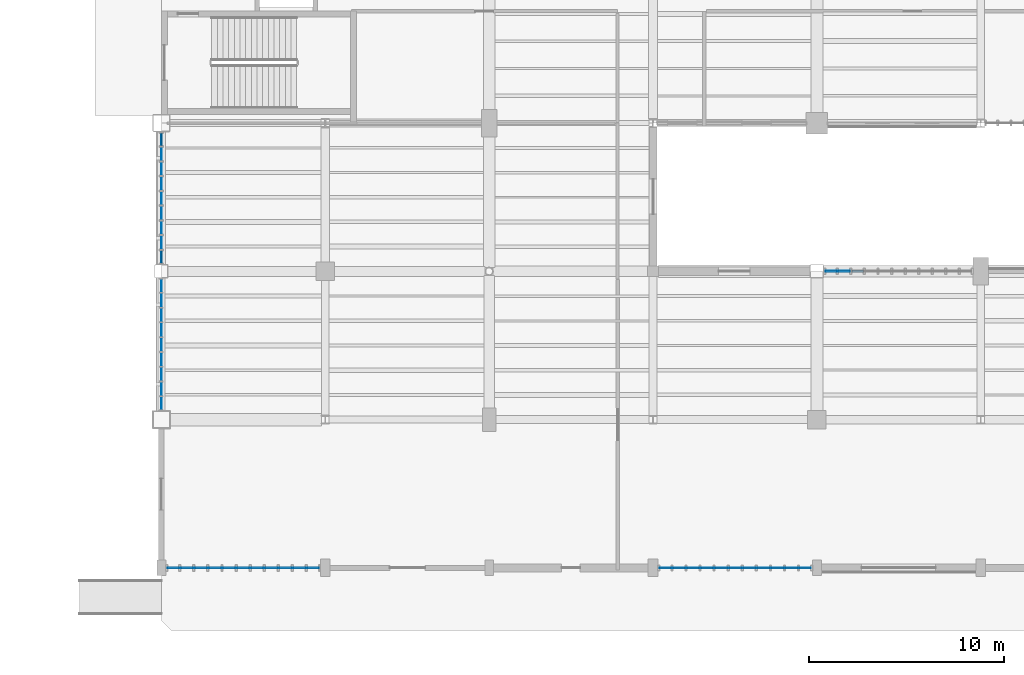
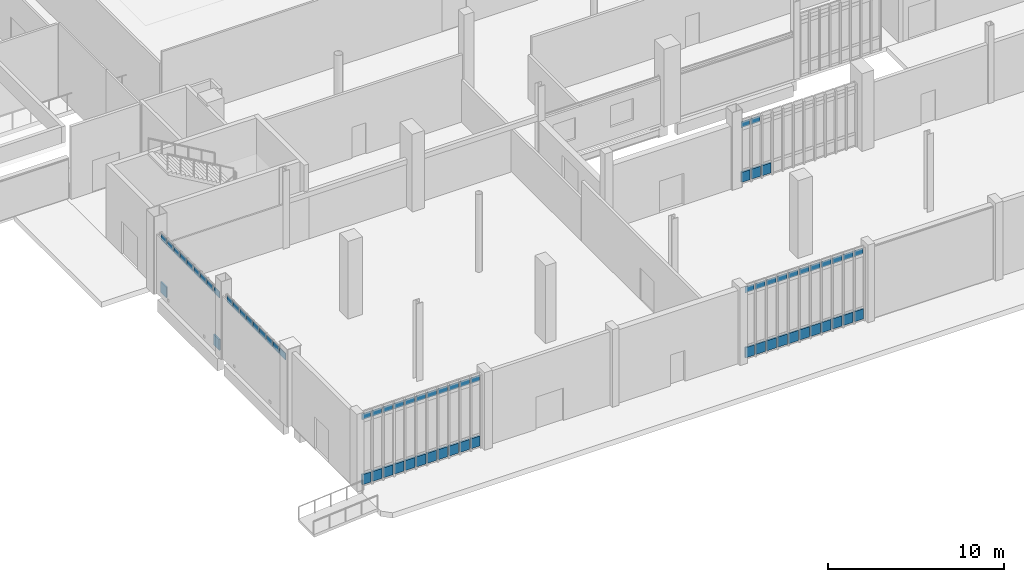
# One storey, part 71 of 111: 69 plates, 5 elements without a shape of their own.
"""IFC4 building model written with IfcOpenShell, lengths in metres."""

from ifc_helpers import new_model, si_unit, direction, frame, origin, origin_2d, place, context, subcontext, project, spatial, rectangle, extrude, material, layer, layer_set, type_object, element, aggregate, save


model = new_model("IFC4")

# Units and contexts
model_context = context("Model", 3, precision=1e-05, world=origin(), true_north=direction((0.0, 1.0)))
body_context = subcontext(model_context, "Body", "Model", "MODEL_VIEW")
ifc_project = project(units=[si_unit("LENGTHUNIT", "METRE"), si_unit("AREAUNIT", "SQUARE_METRE"), si_unit("VOLUMEUNIT", "CUBIC_METRE"), si_unit("PLANEANGLEUNIT", "RADIAN"), si_unit("MASSUNIT", "GRAM", prefix="KILO")], contexts=[model_context])

# Site, building, storey
site_placement = place(None, origin())
site = spatial("IfcSite", under=ifc_project, at=site_placement, CompositionType="ELEMENT")
building_placement = place(site_placement, origin())
building = spatial("IfcBuilding", under=site, at=building_placement, Name="Larkvane Passage Sports Hall", CompositionType="ELEMENT")
storey_placement = place(building_placement, origin())
storey = spatial("IfcBuildingStorey", under=building, at=storey_placement, Name="L00", CompositionType="ELEMENT", Elevation=0.0)

# Curtain wall, plates
ifc_material_1 = material(Name="Thermally broken aluminium and low-E glazing", Category="aluminium")
curtain_wall_type_1 = type_object("IfcCurtainWallType", Name="CW-STICK-FOYER", PredefinedType="USERDEFINED", material=ifc_material_1)
curtain_wall_1_placement = place(storey_placement, origin())
curtain_wall_1 = element("IfcCurtainWall", 1, at=curtain_wall_1_placement, inside=storey, type_object=curtain_wall_type_1, Name="Curtain wall CW5-L00-002", ObjectType="STICK CURTAIN WALL", PredefinedType="USERDEFINED")
ifc_material_2 = material(Name="Fire-stopped shadow-box spandrel panel")
ifc_layer_1 = layer(ifc_material_2, 0.10498046875)
ifc_layer_set_1 = layer_set([ifc_layer_1], Name="Fire-stopped shadow-box spandrel panel")
plate_type_1 = type_object("IfcPlateType", Name="CWP-SPD-105", PredefinedType="CURTAIN_PANEL", material=ifc_layer_set_1)
plate_1_placement = place(storey_placement, frame((67.7958984375, 0.0, 0.08984375), z_axis=(0.0, 0.0, 1.0), x_axis=(-1.0, 0.0, 0.0)))
plate_1 = element("IfcPlate", 2, at=plate_1_placement, type_object=plate_type_1, Name="CW-03 panel 1.1", PredefinedType="CURTAIN_PANEL", context=body_context, shape_type="SweptSolid", body=[
    extrude(rectangle(XDim=0.586181640625, YDim=0.10498046875, at=origin_2d()), origin(), (0.0, 0.0, 1.0), 0.715087890625),
])
plate_2_placement = place(storey_placement, frame((67.09716796875, 0.0, 0.08984375), z_axis=(0.0, 0.0, 1.0), x_axis=(-1.0, 0.0, 0.0)))
plate_2 = element("IfcPlate", 3, at=plate_2_placement, type_object=plate_type_1, Name="CW-03 panel 2.1", PredefinedType="CURTAIN_PANEL", context=body_context, shape_type="SweptSolid", body=[
    extrude(rectangle(XDim=0.631103515625, YDim=0.10498046875, at=origin_2d()), origin(), (0.0, 0.0, 1.0), 0.715087890625),
])
plate_3_placement = place(storey_placement, frame((66.3759765625, 0.0, 0.08984375), z_axis=(0.0, 0.0, 1.0), x_axis=(-1.0, 0.0, 0.0)))
plate_3 = element("IfcPlate", 4, at=plate_3_placement, type_object=plate_type_1, Name="CW-03 panel 3.1", PredefinedType="CURTAIN_PANEL", context=body_context, shape_type="SweptSolid", body=[
    extrude(rectangle(XDim=0.631103515625, YDim=0.10498046875, at=origin_2d()), origin(), (0.0, 0.0, 1.0), 0.715087890625),
])
plate_4_placement = place(storey_placement, frame((65.65478515625, 0.0, 0.08984375), z_axis=(0.0, 0.0, 1.0), x_axis=(-1.0, 0.0, 0.0)))
plate_4 = element("IfcPlate", 5, at=plate_4_placement, type_object=plate_type_1, Name="CW-03 panel 4.1", PredefinedType="CURTAIN_PANEL", context=body_context, shape_type="SweptSolid", body=[
    extrude(rectangle(XDim=0.631103515625, YDim=0.10498046875, at=origin_2d()), origin(), (0.0, 0.0, 1.0), 0.715087890625),
])
plate_5_placement = place(storey_placement, frame((64.93359375, 0.0, 0.08984375), z_axis=(0.0, 0.0, 1.0), x_axis=(-1.0, 0.0, 0.0)))
plate_5 = element("IfcPlate", 6, at=plate_5_placement, type_object=plate_type_1, Name="CW-03 panel 5.1", PredefinedType="CURTAIN_PANEL", context=body_context, shape_type="SweptSolid", body=[
    extrude(rectangle(XDim=0.631103515625, YDim=0.10498046875, at=origin_2d()), origin(), (0.0, 0.0, 1.0), 0.715087890625),
])
plate_6_placement = place(storey_placement, frame((64.21240234375, 0.0, 0.08984375), z_axis=(0.0, 0.0, 1.0), x_axis=(-1.0, 0.0, 0.0)))
plate_6 = element("IfcPlate", 7, at=plate_6_placement, type_object=plate_type_1, Name="CW-03 panel 6.1", PredefinedType="CURTAIN_PANEL", context=body_context, shape_type="SweptSolid", body=[
    extrude(rectangle(XDim=0.631103515625, YDim=0.10498046875, at=origin_2d()), origin(), (0.0, 0.0, 1.0), 0.715087890625),
])
plate_7_placement = place(storey_placement, frame((63.4912109375, 0.0, 0.08984375), z_axis=(0.0, 0.0, 1.0), x_axis=(-1.0, 0.0, 0.0)))
plate_7 = element("IfcPlate", 8, at=plate_7_placement, type_object=plate_type_1, Name="CW-03 panel 7.1", PredefinedType="CURTAIN_PANEL", context=body_context, shape_type="SweptSolid", body=[
    extrude(rectangle(XDim=0.631103515625, YDim=0.10498046875, at=origin_2d()), origin(), (0.0, 0.0, 1.0), 0.715087890625),
])
plate_8_placement = place(storey_placement, frame((62.77001953125, 0.0, 0.08984375), z_axis=(0.0, 0.0, 1.0), x_axis=(-1.0, 0.0, 0.0)))
plate_8 = element("IfcPlate", 9, at=plate_8_placement, type_object=plate_type_1, Name="CW-03 panel 8.1", PredefinedType="CURTAIN_PANEL", context=body_context, shape_type="SweptSolid", body=[
    extrude(rectangle(XDim=0.631103515625, YDim=0.10498046875, at=origin_2d()), origin(), (0.0, 0.0, 1.0), 0.715087890625),
])
plate_9_placement = place(storey_placement, frame((62.049072265625, 0.0, 0.08984375), z_axis=(0.0, 0.0, 1.0), x_axis=(-1.0, 0.0, 0.0)))
plate_9 = element("IfcPlate", 10, at=plate_9_placement, type_object=plate_type_1, Name="CW-03 panel 9.1", PredefinedType="CURTAIN_PANEL", context=body_context, shape_type="SweptSolid", body=[
    extrude(rectangle(XDim=0.631103515625, YDim=0.10498046875, at=origin_2d()), origin(), (0.0, 0.0, 1.0), 0.715087890625),
])
plate_10_placement = place(storey_placement, frame((61.327880859375, 0.0, 0.08984375), z_axis=(0.0, 0.0, 1.0), x_axis=(-1.0, 0.0, 0.0)))
plate_10 = element("IfcPlate", 11, at=plate_10_placement, type_object=plate_type_1, Name="CW-03 panel 10.1", PredefinedType="CURTAIN_PANEL", context=body_context, shape_type="SweptSolid", body=[
    extrude(rectangle(XDim=0.631103515625, YDim=0.10498046875, at=origin_2d()), origin(), (0.0, 0.0, 1.0), 0.715087890625),
])
plate_11_placement = place(storey_placement, frame((60.629150390625, 0.0, 0.08984375), z_axis=(0.0, 0.0, 1.0), x_axis=(-1.0, 0.0, 0.0)))
plate_11 = element("IfcPlate", 12, at=plate_11_placement, type_object=plate_type_1, Name="CW-03 panel 11.1", PredefinedType="CURTAIN_PANEL", context=body_context, shape_type="SweptSolid", body=[
    extrude(rectangle(XDim=0.586181640625, YDim=0.10498046875, at=origin_2d()), origin(), (0.0, 0.0, 1.0), 0.715087890625),
])

curtain_wall_type_2 = type_object("IfcCurtainWallType", Name="CW-CLINIC", PredefinedType="USERDEFINED", material=ifc_material_1)
curtain_wall_2_placement = place(storey_placement, origin())
curtain_wall_2 = element("IfcCurtainWall", 13, at=curtain_wall_2_placement, inside=storey, type_object=curtain_wall_type_2, Name="Curtain wall CW5-L00-003", ObjectType="UNITISED CURTAIN WALL", PredefinedType="USERDEFINED")
ifc_material_3 = material(Name="Deep insulated facade spandrel panel")
ifc_layer_2 = layer(ifc_material_3, 0.125)
ifc_layer_set_2 = layer_set([ifc_layer_2], Name="Deep insulated facade spandrel panel")
plate_type_2 = type_object("IfcPlateType", Name="CWP-SPD-125", PredefinedType="CURTAIN_PANEL", material=ifc_layer_set_2)
plate_12_placement = place(storey_placement, frame((42.568359375, 0.0, 0.10009765625), z_axis=(0.0, 0.0, 1.0), x_axis=(-1.0, 0.0, 0.0)))
plate_12 = element("IfcPlate", 14, at=plate_12_placement, type_object=plate_type_2, Name="CW-05 panel 1.1", PredefinedType="CURTAIN_PANEL", context=body_context, shape_type="SweptSolid", body=[
    extrude(rectangle(XDim=0.5712890625, YDim=0.125, at=origin_2d()), origin(), (0.0, 0.0, 1.0), 0.699951171875),
])
plate_13_placement = place(storey_placement, frame((41.872314453125, 0.0, 0.10009765625), z_axis=(0.0, 0.0, 1.0), x_axis=(-1.0, 0.0, 0.0)))
plate_13 = element("IfcPlate", 15, at=plate_13_placement, type_object=plate_type_2, Name="CW-05 panel 2.1", PredefinedType="CURTAIN_PANEL", context=body_context, shape_type="SweptSolid", body=[
    extrude(rectangle(XDim=0.62109375, YDim=0.125, at=origin_2d()), origin(), (0.0, 0.0, 1.0), 0.699951171875),
])
plate_14_placement = place(storey_placement, frame((41.151123046875, 0.0, 0.10009765625), z_axis=(0.0, 0.0, 1.0), x_axis=(-1.0, 0.0, 0.0)))
plate_14 = element("IfcPlate", 16, at=plate_14_placement, type_object=plate_type_2, Name="CW-05 panel 3.1", PredefinedType="CURTAIN_PANEL", context=body_context, shape_type="SweptSolid", body=[
    extrude(rectangle(XDim=0.62109375, YDim=0.125, at=origin_2d()), origin(), (0.0, 0.0, 1.0), 0.699951171875),
])
plate_15_placement = place(storey_placement, frame((40.429931640625, 0.0, 0.10009765625), z_axis=(0.0, 0.0, 1.0), x_axis=(-1.0, 0.0, 0.0)))
plate_15 = element("IfcPlate", 17, at=plate_15_placement, type_object=plate_type_2, Name="CW-05 panel 4.1", PredefinedType="CURTAIN_PANEL", context=body_context, shape_type="SweptSolid", body=[
    extrude(rectangle(XDim=0.62109375, YDim=0.125, at=origin_2d()), origin(), (0.0, 0.0, 1.0), 0.699951171875),
])
plate_16_placement = place(storey_placement, frame((39.708740234375, 0.0, 0.10009765625), z_axis=(0.0, 0.0, 1.0), x_axis=(-1.0, 0.0, 0.0)))
plate_16 = element("IfcPlate", 18, at=plate_16_placement, type_object=plate_type_2, Name="CW-05 panel 5.1", PredefinedType="CURTAIN_PANEL", context=body_context, shape_type="SweptSolid", body=[
    extrude(rectangle(XDim=0.62109375, YDim=0.125, at=origin_2d()), origin(), (0.0, 0.0, 1.0), 0.699951171875),
])
plate_17_placement = place(storey_placement, frame((38.987548828125, 0.0, 0.10009765625), z_axis=(0.0, 0.0, 1.0), x_axis=(-1.0, 0.0, 0.0)))
plate_17 = element("IfcPlate", 19, at=plate_17_placement, type_object=plate_type_2, Name="CW-05 panel 6.1", PredefinedType="CURTAIN_PANEL", context=body_context, shape_type="SweptSolid", body=[
    extrude(rectangle(XDim=0.62109375, YDim=0.125, at=origin_2d()), origin(), (0.0, 0.0, 1.0), 0.699951171875),
])
plate_18_placement = place(storey_placement, frame((38.266357421875, 0.0, 0.10009765625), z_axis=(0.0, 0.0, 1.0), x_axis=(-1.0, 0.0, 0.0)))
plate_18 = element("IfcPlate", 20, at=plate_18_placement, type_object=plate_type_2, Name="CW-05 panel 7.1", PredefinedType="CURTAIN_PANEL", context=body_context, shape_type="SweptSolid", body=[
    extrude(rectangle(XDim=0.62109375, YDim=0.125, at=origin_2d()), origin(), (0.0, 0.0, 1.0), 0.699951171875),
])
plate_19_placement = place(storey_placement, frame((37.545166015625, 0.0, 0.10009765625), z_axis=(0.0, 0.0, 1.0), x_axis=(-1.0, 0.0, 0.0)))
plate_19 = element("IfcPlate", 21, at=plate_19_placement, type_object=plate_type_2, Name="CW-05 panel 8.1", PredefinedType="CURTAIN_PANEL", context=body_context, shape_type="SweptSolid", body=[
    extrude(rectangle(XDim=0.62109375, YDim=0.125, at=origin_2d()), origin(), (0.0, 0.0, 1.0), 0.699951171875),
])
plate_20_placement = place(storey_placement, frame((36.823974609375, 0.0, 0.10009765625), z_axis=(0.0, 0.0, 1.0), x_axis=(-1.0, 0.0, 0.0)))
plate_20 = element("IfcPlate", 22, at=plate_20_placement, type_object=plate_type_2, Name="CW-05 panel 9.1", PredefinedType="CURTAIN_PANEL", context=body_context, shape_type="SweptSolid", body=[
    extrude(rectangle(XDim=0.62109375, YDim=0.125, at=origin_2d()), origin(), (0.0, 0.0, 1.0), 0.699951171875),
])
plate_21_placement = place(storey_placement, frame((36.102783203125, 0.0, 0.10009765625), z_axis=(0.0, 0.0, 1.0), x_axis=(-1.0, 0.0, 0.0)))
plate_21 = element("IfcPlate", 23, at=plate_21_placement, type_object=plate_type_2, Name="CW-05 panel 10.1", PredefinedType="CURTAIN_PANEL", context=body_context, shape_type="SweptSolid", body=[
    extrude(rectangle(XDim=0.62109375, YDim=0.125, at=origin_2d()), origin(), (0.0, 0.0, 1.0), 0.699951171875),
])
plate_22_placement = place(storey_placement, frame((35.406494140625, 0.0, 0.10009765625), z_axis=(0.0, 0.0, 1.0), x_axis=(-1.0, 0.0, 0.0)))
plate_22 = element("IfcPlate", 24, at=plate_22_placement, type_object=plate_type_2, Name="CW-05 panel 11.1", PredefinedType="CURTAIN_PANEL", context=body_context, shape_type="SweptSolid", body=[
    extrude(rectangle(XDim=0.5712890625, YDim=0.125, at=origin_2d()), origin(), (0.0, 0.0, 1.0), 0.699951171875),
])

curtain_wall_3_placement = place(storey_placement, origin())
curtain_wall_3 = element("IfcCurtainWall", 25, at=curtain_wall_3_placement, inside=storey, type_object=curtain_wall_type_2, Name="Curtain wall CW5-L00-027", ObjectType="UNITISED CURTAIN WALL", PredefinedType="USERDEFINED")
plate_23_placement = place(storey_placement, frame((69.119140625, 15.199951171875, 0.10009765625), z_axis=(0.0, 0.0, 1.0), x_axis=(1.0, 0.0, 0.0)))
plate_23 = element("IfcPlate", 26, at=plate_23_placement, type_object=plate_type_2, Name="CW-05 panel 1.1", PredefinedType="CURTAIN_PANEL", context=body_context, shape_type="SweptSolid", body=[
    extrude(rectangle(XDim=0.546142578125, YDim=0.125, at=origin_2d()), origin(), (0.0, 0.0, 1.0), 0.699951171875),
])
plate_24_placement = place(storey_placement, frame((69.790283203125, 15.199951171875, 0.10009765625), z_axis=(0.0, 0.0, 1.0), x_axis=(1.0, 0.0, 0.0)))
plate_24 = element("IfcPlate", 27, at=plate_24_placement, type_object=plate_type_2, Name="CW-05 panel 2.1", PredefinedType="CURTAIN_PANEL", context=body_context, shape_type="SweptSolid", body=[
    extrude(rectangle(XDim=0.59619140625, YDim=0.125, at=origin_2d()), origin(), (0.0, 0.0, 1.0), 0.699951171875),
])
plate_25_placement = place(storey_placement, frame((70.486572265625, 15.199951171875, 0.10009765625), z_axis=(0.0, 0.0, 1.0), x_axis=(1.0, 0.0, 0.0)))
plate_25 = element("IfcPlate", 28, at=plate_25_placement, type_object=plate_type_2, Name="CW-05 panel 3.1", PredefinedType="CURTAIN_PANEL", context=body_context, shape_type="SweptSolid", body=[
    extrude(rectangle(XDim=0.59619140625, YDim=0.125, at=origin_2d()), origin(), (0.0, 0.0, 1.0), 0.699951171875),
])

curtain_wall_type_3 = type_object("IfcCurtainWallType", Name="CW-UNIT-VEIL", PredefinedType="USERDEFINED", material=ifc_material_1)
curtain_wall_4_placement = place(storey_placement, origin())
curtain_wall_4 = element("IfcCurtainWall", 29, at=curtain_wall_4_placement, inside=storey, type_object=curtain_wall_type_3, Name="Curtain wall CW5-L00-005", ObjectType="UNITISED CURTAIN WALL", PredefinedType="USERDEFINED")
ifc_material_4 = material(Name="Mineral-wool insulated spandrel cassette")
ifc_layer_3 = layer(ifc_material_4, 0.0849609375)
ifc_layer_set_3 = layer_set([ifc_layer_3], Name="Mineral-wool insulated spandrel cassette")
plate_type_3 = type_object("IfcPlateType", Name="CWP-SPD-85", PredefinedType="CURTAIN_PANEL", material=ifc_layer_set_3)
plate_26_placement = place(storey_placement, frame((34.800048828125, 15.941650390625, 0.06982421875), z_axis=(0.0, 0.0, 1.0), x_axis=(0.0, 1.0, 0.0)))
plate_26 = element("IfcPlate", 30, at=plate_26_placement, type_object=plate_type_3, Name="CW-02 panel 1.1", PredefinedType="CURTAIN_PANEL", context=body_context, shape_type="SweptSolid", body=[
    extrude(rectangle(XDim=0.6513671875, YDim=0.0849609375, at=origin_2d()), origin(), (0.0, 0.0, 1.0), 0.7451171875),
])
plate_27_placement = place(storey_placement, frame((34.800048828125, 21.958251953125, 0.06982421875), z_axis=(0.0, 0.0, 1.0), x_axis=(0.0, 1.0, 0.0)))
plate_27 = element("IfcPlate", 31, at=plate_27_placement, type_object=plate_type_3, Name="CW-02 panel 9.1", PredefinedType="CURTAIN_PANEL", context=body_context, shape_type="SweptSolid", body=[
    extrude(rectangle(XDim=0.6513671875, YDim=0.0849609375, at=origin_2d()), origin(), (0.0, 0.0, 1.0), 0.7451171875),
])

curtain_wall_type_4 = type_object("IfcCurtainWallType", Name="CW-UNIT-COURT", PredefinedType="USERDEFINED", material=ifc_material_1)
curtain_wall_5_placement = place(storey_placement, origin())
curtain_wall_5 = element("IfcCurtainWall", 32, at=curtain_wall_5_placement, inside=storey, type_object=curtain_wall_type_4, Name="Curtain wall CW5-L00-004", ObjectType="UNITISED CURTAIN WALL", PredefinedType="USERDEFINED")
ifc_material_5 = material(Name="Solar-control low-E double glazing", Category="glass")
ifc_layer_4 = layer(ifc_material_5, 0.028076171875)
ifc_layer_set_4 = layer_set([ifc_layer_4], Name="Solar-control low-E double glazing")
plate_type_4 = type_object("IfcPlateType", Name="CWP-VIS-28", PredefinedType="CURTAIN_PANEL", material=ifc_layer_set_4)
plate_28_placement = place(storey_placement, frame((34.800048828125, 8.439208984375, 3.947998046875), z_axis=(0.0, 0.0, 1.0), x_axis=(0.0, 1.0, 0.0)))
plate_28 = element("IfcPlate", 33, at=plate_28_placement, type_object=plate_type_4, Name="CW-01 panel 1.3", PredefinedType="CURTAIN_PANEL", context=body_context, shape_type="SweptSolid", body=[
    extrude(rectangle(XDim=0.66650390625, YDim=0.028076171875, at=origin_2d()), origin(), (0.0, 0.0, 1.0), 0.4599609375),
])
plate_29_placement = place(storey_placement, frame((34.800048828125, 9.1806640625, 3.947998046875), z_axis=(0.0, 0.0, 1.0), x_axis=(0.0, 1.0, 0.0)))
plate_29 = element("IfcPlate", 34, at=plate_29_placement, type_object=plate_type_4, Name="CW-01 panel 2.3", PredefinedType="CURTAIN_PANEL", context=body_context, shape_type="SweptSolid", body=[
    extrude(rectangle(XDim=0.696533203125, YDim=0.028076171875, at=origin_2d()), origin(), (0.0, 0.0, 1.0), 0.4599609375),
])
plate_30_placement = place(storey_placement, frame((34.800048828125, 9.93701171875, 3.947998046875), z_axis=(0.0, 0.0, 1.0), x_axis=(0.0, 1.0, 0.0)))
plate_30 = element("IfcPlate", 35, at=plate_30_placement, type_object=plate_type_4, Name="CW-01 panel 3.3", PredefinedType="CURTAIN_PANEL", context=body_context, shape_type="SweptSolid", body=[
    extrude(rectangle(XDim=0.696533203125, YDim=0.028076171875, at=origin_2d()), origin(), (0.0, 0.0, 1.0), 0.4599609375),
])
plate_31_placement = place(storey_placement, frame((34.800048828125, 10.693603515625, 3.947998046875), z_axis=(0.0, 0.0, 1.0), x_axis=(0.0, 1.0, 0.0)))
plate_31 = element("IfcPlate", 36, at=plate_31_placement, type_object=plate_type_4, Name="CW-01 panel 4.3", PredefinedType="CURTAIN_PANEL", context=body_context, shape_type="SweptSolid", body=[
    extrude(rectangle(XDim=0.696533203125, YDim=0.028076171875, at=origin_2d()), origin(), (0.0, 0.0, 1.0), 0.4599609375),
])
plate_32_placement = place(storey_placement, frame((34.800048828125, 11.449951171875, 3.947998046875), z_axis=(0.0, 0.0, 1.0), x_axis=(0.0, 1.0, 0.0)))
plate_32 = element("IfcPlate", 37, at=plate_32_placement, type_object=plate_type_4, Name="CW-01 panel 5.3", PredefinedType="CURTAIN_PANEL", context=body_context, shape_type="SweptSolid", body=[
    extrude(rectangle(XDim=0.696533203125, YDim=0.028076171875, at=origin_2d()), origin(), (0.0, 0.0, 1.0), 0.4599609375),
])
plate_33_placement = place(storey_placement, frame((34.800048828125, 12.20654296875, 3.947998046875), z_axis=(0.0, 0.0, 1.0), x_axis=(0.0, 1.0, 0.0)))
plate_33 = element("IfcPlate", 38, at=plate_33_placement, type_object=plate_type_4, Name="CW-01 panel 6.3", PredefinedType="CURTAIN_PANEL", context=body_context, shape_type="SweptSolid", body=[
    extrude(rectangle(XDim=0.696533203125, YDim=0.028076171875, at=origin_2d()), origin(), (0.0, 0.0, 1.0), 0.4599609375),
])
plate_34_placement = place(storey_placement, frame((34.800048828125, 12.962890625, 3.947998046875), z_axis=(0.0, 0.0, 1.0), x_axis=(0.0, 1.0, 0.0)))
plate_34 = element("IfcPlate", 39, at=plate_34_placement, type_object=plate_type_4, Name="CW-01 panel 7.3", PredefinedType="CURTAIN_PANEL", context=body_context, shape_type="SweptSolid", body=[
    extrude(rectangle(XDim=0.696533203125, YDim=0.028076171875, at=origin_2d()), origin(), (0.0, 0.0, 1.0), 0.4599609375),
])
plate_35_placement = place(storey_placement, frame((34.800048828125, 13.71923828125, 3.947998046875), z_axis=(0.0, 0.0, 1.0), x_axis=(0.0, 1.0, 0.0)))
plate_35 = element("IfcPlate", 40, at=plate_35_placement, type_object=plate_type_4, Name="CW-01 panel 8.3", PredefinedType="CURTAIN_PANEL", context=body_context, shape_type="SweptSolid", body=[
    extrude(rectangle(XDim=0.696533203125, YDim=0.028076171875, at=origin_2d()), origin(), (0.0, 0.0, 1.0), 0.4599609375),
])
plate_36_placement = place(storey_placement, frame((34.800048828125, 14.460693359375, 3.947998046875), z_axis=(0.0, 0.0, 1.0), x_axis=(0.0, 1.0, 0.0)))
plate_36 = element("IfcPlate", 41, at=plate_36_placement, type_object=plate_type_4, Name="CW-01 panel 9.3", PredefinedType="CURTAIN_PANEL", context=body_context, shape_type="SweptSolid", body=[
    extrude(rectangle(XDim=0.66650390625, YDim=0.028076171875, at=origin_2d()), origin(), (0.0, 0.0, 1.0), 0.4599609375),
])
aggregate(curtain_wall_5, [plate_28, plate_29, plate_30, plate_31, plate_32, plate_33, plate_34, plate_35, plate_36])

# Plate
ifc_material_6 = material(Name="Laminated acoustic low-E glazing", Category="glass")
ifc_layer_5 = layer(ifc_material_6, 0.031982421875)
ifc_layer_set_5 = layer_set([ifc_layer_5], Name="Laminated acoustic low-E glazing")
plate_type_5 = type_object("IfcPlateType", Name="CWP-VIS-32", PredefinedType="CURTAIN_PANEL", material=ifc_layer_set_5)
plate_37_placement = place(storey_placement, frame((34.800048828125, 15.941650390625, 3.703125), z_axis=(0.0, 0.0, 1.0), x_axis=(0.0, 1.0, 0.0)))
plate_37 = element("IfcPlate", 42, at=plate_37_placement, type_object=plate_type_5, Name="CW-02 panel 1.3", PredefinedType="CURTAIN_PANEL", context=body_context, shape_type="SweptSolid", body=[
    extrude(rectangle(XDim=0.6513671875, YDim=0.031982421875, at=origin_2d()), origin(), (0.0, 0.0, 1.0), 0.445068359375),
])

plate_38_placement = place(storey_placement, frame((34.800048828125, 16.6806640625, 3.703125), z_axis=(0.0, 0.0, 1.0), x_axis=(0.0, 1.0, 0.0)))
plate_38 = element("IfcPlate", 43, at=plate_38_placement, type_object=plate_type_5, Name="CW-02 panel 2.3", PredefinedType="CURTAIN_PANEL", context=body_context, shape_type="SweptSolid", body=[
    extrude(rectangle(XDim=0.6865234375, YDim=0.031982421875, at=origin_2d()), origin(), (0.0, 0.0, 1.0), 0.445068359375),
])

plate_39_placement = place(storey_placement, frame((34.800048828125, 17.43701171875, 3.703125), z_axis=(0.0, 0.0, 1.0), x_axis=(0.0, 1.0, 0.0)))
plate_39 = element("IfcPlate", 44, at=plate_39_placement, type_object=plate_type_5, Name="CW-02 panel 3.3", PredefinedType="CURTAIN_PANEL", context=body_context, shape_type="SweptSolid", body=[
    extrude(rectangle(XDim=0.6865234375, YDim=0.031982421875, at=origin_2d()), origin(), (0.0, 0.0, 1.0), 0.445068359375),
])

plate_40_placement = place(storey_placement, frame((34.800048828125, 18.193603515625, 3.703125), z_axis=(0.0, 0.0, 1.0), x_axis=(0.0, 1.0, 0.0)))
plate_40 = element("IfcPlate", 45, at=plate_40_placement, type_object=plate_type_5, Name="CW-02 panel 4.3", PredefinedType="CURTAIN_PANEL", context=body_context, shape_type="SweptSolid", body=[
    extrude(rectangle(XDim=0.6865234375, YDim=0.031982421875, at=origin_2d()), origin(), (0.0, 0.0, 1.0), 0.445068359375),
])

plate_41_placement = place(storey_placement, frame((34.800048828125, 18.949951171875, 3.703125), z_axis=(0.0, 0.0, 1.0), x_axis=(0.0, 1.0, 0.0)))
plate_41 = element("IfcPlate", 46, at=plate_41_placement, type_object=plate_type_5, Name="CW-02 panel 5.3", PredefinedType="CURTAIN_PANEL", context=body_context, shape_type="SweptSolid", body=[
    extrude(rectangle(XDim=0.6865234375, YDim=0.031982421875, at=origin_2d()), origin(), (0.0, 0.0, 1.0), 0.445068359375),
])

plate_42_placement = place(storey_placement, frame((34.800048828125, 19.70654296875, 3.703125), z_axis=(0.0, 0.0, 1.0), x_axis=(0.0, 1.0, 0.0)))
plate_42 = element("IfcPlate", 47, at=plate_42_placement, type_object=plate_type_5, Name="CW-02 panel 6.3", PredefinedType="CURTAIN_PANEL", context=body_context, shape_type="SweptSolid", body=[
    extrude(rectangle(XDim=0.6865234375, YDim=0.031982421875, at=origin_2d()), origin(), (0.0, 0.0, 1.0), 0.445068359375),
])

plate_43_placement = place(storey_placement, frame((34.800048828125, 20.462890625, 3.703125), z_axis=(0.0, 0.0, 1.0), x_axis=(0.0, 1.0, 0.0)))
plate_43 = element("IfcPlate", 48, at=plate_43_placement, type_object=plate_type_5, Name="CW-02 panel 7.3", PredefinedType="CURTAIN_PANEL", context=body_context, shape_type="SweptSolid", body=[
    extrude(rectangle(XDim=0.6865234375, YDim=0.031982421875, at=origin_2d()), origin(), (0.0, 0.0, 1.0), 0.445068359375),
])

plate_44_placement = place(storey_placement, frame((34.800048828125, 21.21923828125, 3.703125), z_axis=(0.0, 0.0, 1.0), x_axis=(0.0, 1.0, 0.0)))
plate_44 = element("IfcPlate", 49, at=plate_44_placement, type_object=plate_type_5, Name="CW-02 panel 8.3", PredefinedType="CURTAIN_PANEL", context=body_context, shape_type="SweptSolid", body=[
    extrude(rectangle(XDim=0.6865234375, YDim=0.031982421875, at=origin_2d()), origin(), (0.0, 0.0, 1.0), 0.445068359375),
])

plate_45_placement = place(storey_placement, frame((34.800048828125, 21.958251953125, 3.703125), z_axis=(0.0, 0.0, 1.0), x_axis=(0.0, 1.0, 0.0)))
plate_45 = element("IfcPlate", 50, at=plate_45_placement, type_object=plate_type_5, Name="CW-02 panel 9.3", PredefinedType="CURTAIN_PANEL", context=body_context, shape_type="SweptSolid", body=[
    extrude(rectangle(XDim=0.6513671875, YDim=0.031982421875, at=origin_2d()), origin(), (0.0, 0.0, 1.0), 0.445068359375),
])

aggregate(curtain_wall_4, [plate_26, plate_37, plate_38, plate_39, plate_40, plate_41, plate_42, plate_43, plate_44, plate_27, plate_45])

ifc_material_7 = material(Name="High-impact court low-E glazing", Category="glass")
ifc_layer_6 = layer(ifc_material_7, 0.035888671875)
ifc_layer_set_6 = layer_set([ifc_layer_6], Name="High-impact court low-E glazing")
plate_type_6 = type_object("IfcPlateType", Name="CWP-VIS-36", PredefinedType="CURTAIN_PANEL", material=ifc_layer_set_6)
plate_46_placement = place(storey_placement, frame((67.7958984375, 0.0, 4.594970703125), z_axis=(0.0, 0.0, 1.0), x_axis=(-1.0, 0.0, 0.0)))
plate_46 = element("IfcPlate", 51, at=plate_46_placement, type_object=plate_type_6, Name="CW-03 panel 1.3", PredefinedType="CURTAIN_PANEL", context=body_context, shape_type="SweptSolid", body=[
    extrude(rectangle(XDim=0.586181640625, YDim=0.035888671875, at=origin_2d()), origin(), (0.0, 0.0, 1.0), 0.4150390625),
])

plate_47_placement = place(storey_placement, frame((67.09716796875, 0.0, 4.594970703125), z_axis=(0.0, 0.0, 1.0), x_axis=(-1.0, 0.0, 0.0)))
plate_47 = element("IfcPlate", 52, at=plate_47_placement, type_object=plate_type_6, Name="CW-03 panel 2.3", PredefinedType="CURTAIN_PANEL", context=body_context, shape_type="SweptSolid", body=[
    extrude(rectangle(XDim=0.631103515625, YDim=0.035888671875, at=origin_2d()), origin(), (0.0, 0.0, 1.0), 0.4150390625),
])

plate_48_placement = place(storey_placement, frame((66.3759765625, 0.0, 4.594970703125), z_axis=(0.0, 0.0, 1.0), x_axis=(-1.0, 0.0, 0.0)))
plate_48 = element("IfcPlate", 53, at=plate_48_placement, type_object=plate_type_6, Name="CW-03 panel 3.3", PredefinedType="CURTAIN_PANEL", context=body_context, shape_type="SweptSolid", body=[
    extrude(rectangle(XDim=0.631103515625, YDim=0.035888671875, at=origin_2d()), origin(), (0.0, 0.0, 1.0), 0.4150390625),
])

plate_49_placement = place(storey_placement, frame((65.65478515625, 0.0, 4.594970703125), z_axis=(0.0, 0.0, 1.0), x_axis=(-1.0, 0.0, 0.0)))
plate_49 = element("IfcPlate", 54, at=plate_49_placement, type_object=plate_type_6, Name="CW-03 panel 4.3", PredefinedType="CURTAIN_PANEL", context=body_context, shape_type="SweptSolid", body=[
    extrude(rectangle(XDim=0.631103515625, YDim=0.035888671875, at=origin_2d()), origin(), (0.0, 0.0, 1.0), 0.4150390625),
])

plate_50_placement = place(storey_placement, frame((64.93359375, 0.0, 4.594970703125), z_axis=(0.0, 0.0, 1.0), x_axis=(-1.0, 0.0, 0.0)))
plate_50 = element("IfcPlate", 55, at=plate_50_placement, type_object=plate_type_6, Name="CW-03 panel 5.3", PredefinedType="CURTAIN_PANEL", context=body_context, shape_type="SweptSolid", body=[
    extrude(rectangle(XDim=0.631103515625, YDim=0.035888671875, at=origin_2d()), origin(), (0.0, 0.0, 1.0), 0.4150390625),
])

plate_51_placement = place(storey_placement, frame((64.21240234375, 0.0, 4.594970703125), z_axis=(0.0, 0.0, 1.0), x_axis=(-1.0, 0.0, 0.0)))
plate_51 = element("IfcPlate", 56, at=plate_51_placement, type_object=plate_type_6, Name="CW-03 panel 6.3", PredefinedType="CURTAIN_PANEL", context=body_context, shape_type="SweptSolid", body=[
    extrude(rectangle(XDim=0.631103515625, YDim=0.035888671875, at=origin_2d()), origin(), (0.0, 0.0, 1.0), 0.4150390625),
])

plate_52_placement = place(storey_placement, frame((63.4912109375, 0.0, 4.594970703125), z_axis=(0.0, 0.0, 1.0), x_axis=(-1.0, 0.0, 0.0)))
plate_52 = element("IfcPlate", 57, at=plate_52_placement, type_object=plate_type_6, Name="CW-03 panel 7.3", PredefinedType="CURTAIN_PANEL", context=body_context, shape_type="SweptSolid", body=[
    extrude(rectangle(XDim=0.631103515625, YDim=0.035888671875, at=origin_2d()), origin(), (0.0, 0.0, 1.0), 0.4150390625),
])

plate_53_placement = place(storey_placement, frame((62.77001953125, 0.0, 4.594970703125), z_axis=(0.0, 0.0, 1.0), x_axis=(-1.0, 0.0, 0.0)))
plate_53 = element("IfcPlate", 58, at=plate_53_placement, type_object=plate_type_6, Name="CW-03 panel 8.3", PredefinedType="CURTAIN_PANEL", context=body_context, shape_type="SweptSolid", body=[
    extrude(rectangle(XDim=0.631103515625, YDim=0.035888671875, at=origin_2d()), origin(), (0.0, 0.0, 1.0), 0.4150390625),
])

plate_54_placement = place(storey_placement, frame((62.049072265625, 0.0, 4.594970703125), z_axis=(0.0, 0.0, 1.0), x_axis=(-1.0, 0.0, 0.0)))
plate_54 = element("IfcPlate", 59, at=plate_54_placement, type_object=plate_type_6, Name="CW-03 panel 9.3", PredefinedType="CURTAIN_PANEL", context=body_context, shape_type="SweptSolid", body=[
    extrude(rectangle(XDim=0.631103515625, YDim=0.035888671875, at=origin_2d()), origin(), (0.0, 0.0, 1.0), 0.4150390625),
])

plate_55_placement = place(storey_placement, frame((61.327880859375, 0.0, 4.594970703125), z_axis=(0.0, 0.0, 1.0), x_axis=(-1.0, 0.0, 0.0)))
plate_55 = element("IfcPlate", 60, at=plate_55_placement, type_object=plate_type_6, Name="CW-03 panel 10.3", PredefinedType="CURTAIN_PANEL", context=body_context, shape_type="SweptSolid", body=[
    extrude(rectangle(XDim=0.631103515625, YDim=0.035888671875, at=origin_2d()), origin(), (0.0, 0.0, 1.0), 0.4150390625),
])

plate_56_placement = place(storey_placement, frame((60.629150390625, 0.0, 4.594970703125), z_axis=(0.0, 0.0, 1.0), x_axis=(-1.0, 0.0, 0.0)))
plate_56 = element("IfcPlate", 61, at=plate_56_placement, type_object=plate_type_6, Name="CW-03 panel 11.3", PredefinedType="CURTAIN_PANEL", context=body_context, shape_type="SweptSolid", body=[
    extrude(rectangle(XDim=0.586181640625, YDim=0.035888671875, at=origin_2d()), origin(), (0.0, 0.0, 1.0), 0.4150390625),
])

aggregate(curtain_wall_1, [plate_1, plate_46, plate_2, plate_47, plate_3, plate_48, plate_4, plate_49, plate_5, plate_50, plate_6, plate_51, plate_7, plate_52, plate_8, plate_53, plate_9, plate_54, plate_10, plate_55, plate_11, plate_56])

ifc_material_8 = material(Name="Triple-laminated typhoon glazing", Category="glass")
ifc_layer_7 = layer(ifc_material_8, 0.0419921875)
ifc_layer_set_7 = layer_set([ifc_layer_7], Name="Triple-laminated typhoon glazing")
plate_type_7 = type_object("IfcPlateType", Name="CWP-VIS-42", PredefinedType="CURTAIN_PANEL", material=ifc_layer_set_7)
plate_57_placement = place(storey_placement, frame((42.568359375, 0.0, 4.60009765625), z_axis=(0.0, 0.0, 1.0), x_axis=(-1.0, 0.0, 0.0)))
plate_57 = element("IfcPlate", 62, at=plate_57_placement, type_object=plate_type_7, Name="CW-05 panel 1.3", PredefinedType="CURTAIN_PANEL", context=body_context, shape_type="SweptSolid", body=[
    extrude(rectangle(XDim=0.5712890625, YDim=0.0419921875, at=origin_2d()), origin(), (0.0, 0.0, 1.0), 0.39990234375),
])

plate_58_placement = place(storey_placement, frame((41.872314453125, 0.0, 4.60009765625), z_axis=(0.0, 0.0, 1.0), x_axis=(-1.0, 0.0, 0.0)))
plate_58 = element("IfcPlate", 63, at=plate_58_placement, type_object=plate_type_7, Name="CW-05 panel 2.3", PredefinedType="CURTAIN_PANEL", context=body_context, shape_type="SweptSolid", body=[
    extrude(rectangle(XDim=0.62109375, YDim=0.0419921875, at=origin_2d()), origin(), (0.0, 0.0, 1.0), 0.39990234375),
])

plate_59_placement = place(storey_placement, frame((41.151123046875, 0.0, 4.60009765625), z_axis=(0.0, 0.0, 1.0), x_axis=(-1.0, 0.0, 0.0)))
plate_59 = element("IfcPlate", 64, at=plate_59_placement, type_object=plate_type_7, Name="CW-05 panel 3.3", PredefinedType="CURTAIN_PANEL", context=body_context, shape_type="SweptSolid", body=[
    extrude(rectangle(XDim=0.62109375, YDim=0.0419921875, at=origin_2d()), origin(), (0.0, 0.0, 1.0), 0.39990234375),
])

plate_60_placement = place(storey_placement, frame((40.429931640625, 0.0, 4.60009765625), z_axis=(0.0, 0.0, 1.0), x_axis=(-1.0, 0.0, 0.0)))
plate_60 = element("IfcPlate", 65, at=plate_60_placement, type_object=plate_type_7, Name="CW-05 panel 4.3", PredefinedType="CURTAIN_PANEL", context=body_context, shape_type="SweptSolid", body=[
    extrude(rectangle(XDim=0.62109375, YDim=0.0419921875, at=origin_2d()), origin(), (0.0, 0.0, 1.0), 0.39990234375),
])

plate_61_placement = place(storey_placement, frame((39.708740234375, 0.0, 4.60009765625), z_axis=(0.0, 0.0, 1.0), x_axis=(-1.0, 0.0, 0.0)))
plate_61 = element("IfcPlate", 66, at=plate_61_placement, type_object=plate_type_7, Name="CW-05 panel 5.3", PredefinedType="CURTAIN_PANEL", context=body_context, shape_type="SweptSolid", body=[
    extrude(rectangle(XDim=0.62109375, YDim=0.0419921875, at=origin_2d()), origin(), (0.0, 0.0, 1.0), 0.39990234375),
])

plate_62_placement = place(storey_placement, frame((38.987548828125, 0.0, 4.60009765625), z_axis=(0.0, 0.0, 1.0), x_axis=(-1.0, 0.0, 0.0)))
plate_62 = element("IfcPlate", 67, at=plate_62_placement, type_object=plate_type_7, Name="CW-05 panel 6.3", PredefinedType="CURTAIN_PANEL", context=body_context, shape_type="SweptSolid", body=[
    extrude(rectangle(XDim=0.62109375, YDim=0.0419921875, at=origin_2d()), origin(), (0.0, 0.0, 1.0), 0.39990234375),
])

plate_63_placement = place(storey_placement, frame((38.266357421875, 0.0, 4.60009765625), z_axis=(0.0, 0.0, 1.0), x_axis=(-1.0, 0.0, 0.0)))
plate_63 = element("IfcPlate", 68, at=plate_63_placement, type_object=plate_type_7, Name="CW-05 panel 7.3", PredefinedType="CURTAIN_PANEL", context=body_context, shape_type="SweptSolid", body=[
    extrude(rectangle(XDim=0.62109375, YDim=0.0419921875, at=origin_2d()), origin(), (0.0, 0.0, 1.0), 0.39990234375),
])

plate_64_placement = place(storey_placement, frame((37.545166015625, 0.0, 4.60009765625), z_axis=(0.0, 0.0, 1.0), x_axis=(-1.0, 0.0, 0.0)))
plate_64 = element("IfcPlate", 69, at=plate_64_placement, type_object=plate_type_7, Name="CW-05 panel 8.3", PredefinedType="CURTAIN_PANEL", context=body_context, shape_type="SweptSolid", body=[
    extrude(rectangle(XDim=0.62109375, YDim=0.0419921875, at=origin_2d()), origin(), (0.0, 0.0, 1.0), 0.39990234375),
])

plate_65_placement = place(storey_placement, frame((36.823974609375, 0.0, 4.60009765625), z_axis=(0.0, 0.0, 1.0), x_axis=(-1.0, 0.0, 0.0)))
plate_65 = element("IfcPlate", 70, at=plate_65_placement, type_object=plate_type_7, Name="CW-05 panel 9.3", PredefinedType="CURTAIN_PANEL", context=body_context, shape_type="SweptSolid", body=[
    extrude(rectangle(XDim=0.62109375, YDim=0.0419921875, at=origin_2d()), origin(), (0.0, 0.0, 1.0), 0.39990234375),
])

plate_66_placement = place(storey_placement, frame((36.102783203125, 0.0, 4.60009765625), z_axis=(0.0, 0.0, 1.0), x_axis=(-1.0, 0.0, 0.0)))
plate_66 = element("IfcPlate", 71, at=plate_66_placement, type_object=plate_type_7, Name="CW-05 panel 10.3", PredefinedType="CURTAIN_PANEL", context=body_context, shape_type="SweptSolid", body=[
    extrude(rectangle(XDim=0.62109375, YDim=0.0419921875, at=origin_2d()), origin(), (0.0, 0.0, 1.0), 0.39990234375),
])

plate_67_placement = place(storey_placement, frame((35.406494140625, 0.0, 4.60009765625), z_axis=(0.0, 0.0, 1.0), x_axis=(-1.0, 0.0, 0.0)))
plate_67 = element("IfcPlate", 72, at=plate_67_placement, type_object=plate_type_7, Name="CW-05 panel 11.3", PredefinedType="CURTAIN_PANEL", context=body_context, shape_type="SweptSolid", body=[
    extrude(rectangle(XDim=0.5712890625, YDim=0.0419921875, at=origin_2d()), origin(), (0.0, 0.0, 1.0), 0.39990234375),
])

aggregate(curtain_wall_2, [plate_12, plate_57, plate_13, plate_58, plate_14, plate_59, plate_15, plate_60, plate_16, plate_61, plate_17, plate_62, plate_18, plate_63, plate_19, plate_64, plate_20, plate_65, plate_21, plate_66, plate_22, plate_67])

plate_68_placement = place(storey_placement, frame((69.119140625, 15.199951171875, 3.885986328125), z_axis=(0.0, 0.0, 1.0), x_axis=(1.0, 0.0, 0.0)))
plate_68 = element("IfcPlate", 73, at=plate_68_placement, type_object=plate_type_7, Name="CW-05 panel 1.3", PredefinedType="CURTAIN_PANEL", context=body_context, shape_type="SweptSolid", body=[
    extrude(rectangle(XDim=0.546142578125, YDim=0.0419921875, at=origin_2d()), origin(), (0.0, 0.0, 1.0), 0.39990234375),
])

plate_69_placement = place(storey_placement, frame((69.790283203125, 15.199951171875, 3.885986328125), z_axis=(0.0, 0.0, 1.0), x_axis=(1.0, 0.0, 0.0)))
plate_69 = element("IfcPlate", 74, at=plate_69_placement, type_object=plate_type_7, Name="CW-05 panel 2.3", PredefinedType="CURTAIN_PANEL", context=body_context, shape_type="SweptSolid", body=[
    extrude(rectangle(XDim=0.59619140625, YDim=0.0419921875, at=origin_2d()), origin(), (0.0, 0.0, 1.0), 0.39990234375),
])

aggregate(curtain_wall_3, [plate_23, plate_68, plate_24, plate_69, plate_25])

save(model, "model.ifc")
